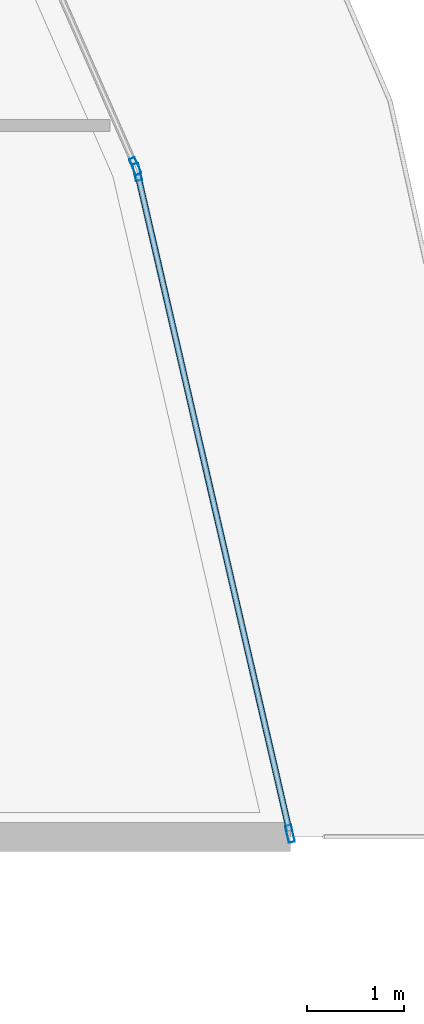
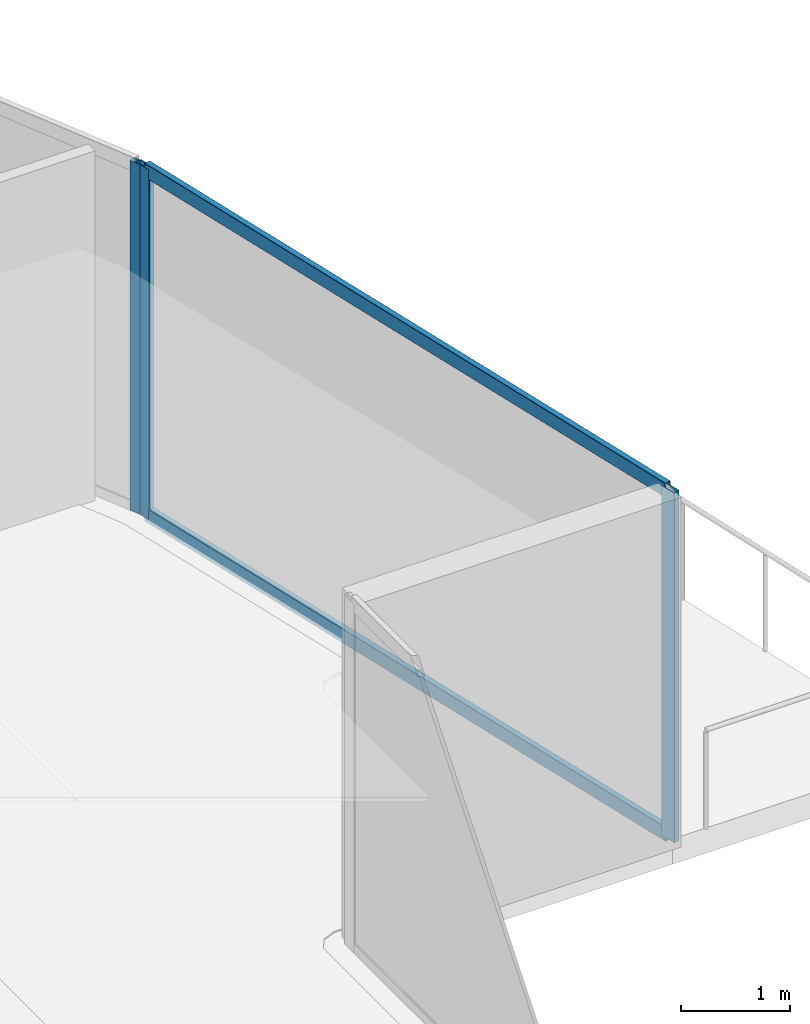
# One storey, part 27 of 45: 5 members, 2 elements without a shape of their own.
"""IFC4 building model written with IfcOpenShell, lengths in metres."""

from ifc_helpers import new_model, si_unit, direction, frame, origin, origin_2d, place, context, subcontext, project, spatial, hollow_rectangle, extrude, material, layer, layer_set, material_profile, profile_set, type_object, element, aggregate, save


model = new_model("IFC4")

# Units and contexts
model_context = context("Model", 3, precision=1e-05, world=origin(), true_north=direction((0.0, 1.0)))
body_context = subcontext(model_context, "Body", "Model", "MODEL_VIEW")
ifc_project = project(units=[si_unit("LENGTHUNIT", "METRE"), si_unit("AREAUNIT", "SQUARE_METRE"), si_unit("VOLUMEUNIT", "CUBIC_METRE"), si_unit("PLANEANGLEUNIT", "RADIAN"), si_unit("MASSUNIT", "GRAM", prefix="KILO")], contexts=[model_context])

# Site, building, storey
site_placement = place(None, origin())
site = spatial("IfcSite", under=ifc_project, at=site_placement, CompositionType="ELEMENT")
building_placement = place(site_placement, origin())
building = spatial("IfcBuilding", under=site, at=building_placement, Name="Qorvath Tower", CompositionType="ELEMENT")
storey_placement = place(building_placement, frame((0.0, 0.0, 95.39990234375)))
storey = spatial("IfcBuildingStorey", under=building, at=storey_placement, Name="L21", CompositionType="ELEMENT", Elevation=95.39990234375)

# Curtain wall, members
ifc_material_1 = material(Name="Anodised aluminium and triple low-E glass", Category="aluminium")
ifc_layer = layer(ifc_material_1, 0.179931640625)
ifc_layer_set = layer_set([ifc_layer], Name="CW-SYS-2")
curtain_wall_type = type_object("IfcCurtainWallType", Name="CW-SYS-2", PredefinedType="NOTDEFINED", material=ifc_layer_set)
curtain_wall_1_placement = place(storey_placement, origin())
curtain_wall_1 = element("IfcCurtainWall", 1, at=curtain_wall_1_placement, inside=storey, type_object=curtain_wall_type, Name="Curtain Wall CW-2 CW-T-L21-11.1", PredefinedType="NOTDEFINED")
ifc_material_2 = material(Name="Anodised aluminium 6063-T6", Category="aluminium")
ifc_material_profile_1 = material_profile(ifc_material_2, hollow_rectangle(XDim=0.06494140625, YDim=0.179931640625, WallThickness=0.00341796875, InnerFilletRadius=0.00341796875, OuterFilletRadius=0.007080078125, at=origin_2d()), Name="CWM 180x65")
ifc_profile_set_1 = profile_set([ifc_material_profile_1], Name="Anodised aluminium 6063-T6")
member_type_1 = type_object("IfcMemberType", Name="CWM-180", PredefinedType="MULLION", material=ifc_profile_set_1)
member_1_placement = place(storey_placement, frame((5.5634765625, 5.12939453125, 0.0), z_axis=(0.0, 0.0, 1.0), x_axis=(-0.974350824402, -0.225034377346, 0.0)))
member_1 = element("IfcMember", 2, at=member_1_placement, type_object=member_type_1, Name="CW-2 mullion 1", PredefinedType="MULLION", context=body_context, shape_type="SweptSolid", body=[
    extrude(hollow_rectangle(XDim=0.06494140625, YDim=0.179931640625, WallThickness=0.00341796875, InnerFilletRadius=0.00341796875, OuterFilletRadius=0.007080078125, at=origin_2d()), origin(), (0.0, 0.0, 1.0), 3.900146484375),
])
member_2_placement = place(storey_placement, frame((3.98046875, 11.983642578125, 0.0), z_axis=(0.0, 0.0, 1.0), x_axis=(-0.974350824402, -0.225034377346, 0.0)))
member_2 = element("IfcMember", 3, at=member_2_placement, type_object=member_type_1, Name="CW-2 mullion 2", PredefinedType="MULLION", context=body_context, shape_type="SweptSolid", body=[
    extrude(hollow_rectangle(XDim=0.06494140625, YDim=0.179931640625, WallThickness=0.00341796875, InnerFilletRadius=0.00341796875, OuterFilletRadius=0.007080078125, at=origin_2d()), origin(), (0.0, 0.0, 1.0), 3.900146484375),
])

# Curtain wall, member
curtain_wall_2_placement = place(storey_placement, origin())
curtain_wall_2 = element("IfcCurtainWall", 4, at=curtain_wall_2_placement, inside=storey, type_object=curtain_wall_type, Name="Curtain Wall CW-2 CW-T-L21-12.1", PredefinedType="NOTDEFINED")
member_3_placement = place(storey_placement, frame((3.9599609375, 12.045166015625, 0.0), z_axis=(0.0, 0.0, 1.0), x_axis=(-0.915869083062, -0.401477051262, 0.0)))
member_3 = element("IfcMember", 5, at=member_3_placement, type_object=member_type_1, Name="CW-2 mullion 1", PredefinedType="MULLION", context=body_context, shape_type="SweptSolid", body=[
    extrude(hollow_rectangle(XDim=0.06494140625, YDim=0.179931640625, WallThickness=0.00341796875, InnerFilletRadius=0.00341796875, OuterFilletRadius=0.007080078125, at=origin_2d()), origin(), (0.0, 0.0, 1.0), 3.900146484375),
])
aggregate(curtain_wall_2, [member_3])

# Member
ifc_material_3 = material(Name="Anodised aluminium 6063-T6", Category="aluminium")
ifc_material_profile_2 = material_profile(ifc_material_3, hollow_rectangle(XDim=0.06494140625, YDim=0.159912109375, WallThickness=0.00341796875, InnerFilletRadius=0.00341796875, OuterFilletRadius=0.007080078125, at=origin_2d()), Name="CWT 160x65")
ifc_profile_set_2 = profile_set([ifc_material_profile_2], Name="Anodised aluminium 6063-T6")
member_type_2 = type_object("IfcMemberType", Name="CWT-160", PredefinedType="USERDEFINED", material=ifc_profile_set_2)
member_4_placement = place(storey_placement, frame((5.55615234375, 5.1611328125, 0.032470703125), z_axis=(-0.225023232351, 0.974353398363, 0.0), x_axis=(-0.974353398363, -0.225023232351, 0.0)))
member_4 = element("IfcMember", 6, at=member_4_placement, type_object=member_type_2, Name="CW-2 transom 1.1", ObjectType="TRANSOM", PredefinedType="USERDEFINED", context=body_context, shape_type="SweptSolid", body=[
    extrude(hollow_rectangle(XDim=0.06494140625, YDim=0.159912109375, WallThickness=0.00341796875, InnerFilletRadius=0.00341796875, OuterFilletRadius=0.007080078125, at=origin_2d()), origin(), (0.0, 0.0, 1.0), 6.9697265625),
])

member_5_placement = place(storey_placement, frame((5.55615234375, 5.1611328125, 3.86767578125), z_axis=(-0.225023232351, 0.974353398363, 0.0), x_axis=(-0.974353398363, -0.225023232351, 0.0)))
member_5 = element("IfcMember", 7, at=member_5_placement, type_object=member_type_2, Name="CW-2 transom 1.2", ObjectType="TRANSOM", PredefinedType="USERDEFINED", context=body_context, shape_type="SweptSolid", body=[
    extrude(hollow_rectangle(XDim=0.06494140625, YDim=0.159912109375, WallThickness=0.00341796875, InnerFilletRadius=0.00341796875, OuterFilletRadius=0.007080078125, at=origin_2d()), origin(), (0.0, 0.0, 1.0), 6.9697265625),
])

aggregate(curtain_wall_1, [member_1, member_2, member_4, member_5])

save(model, "model.ifc")
